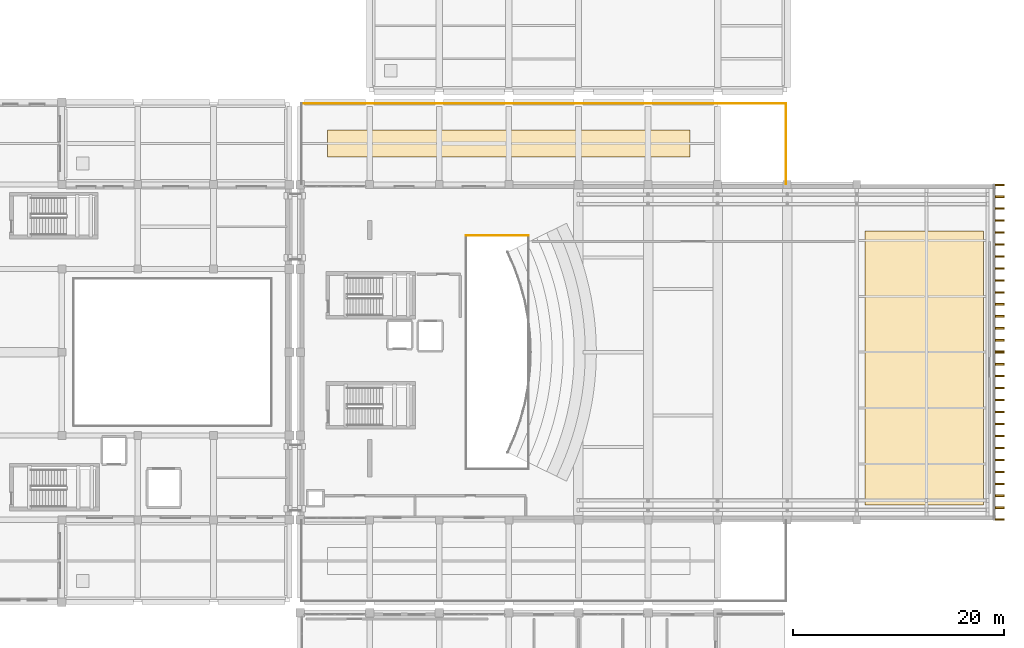
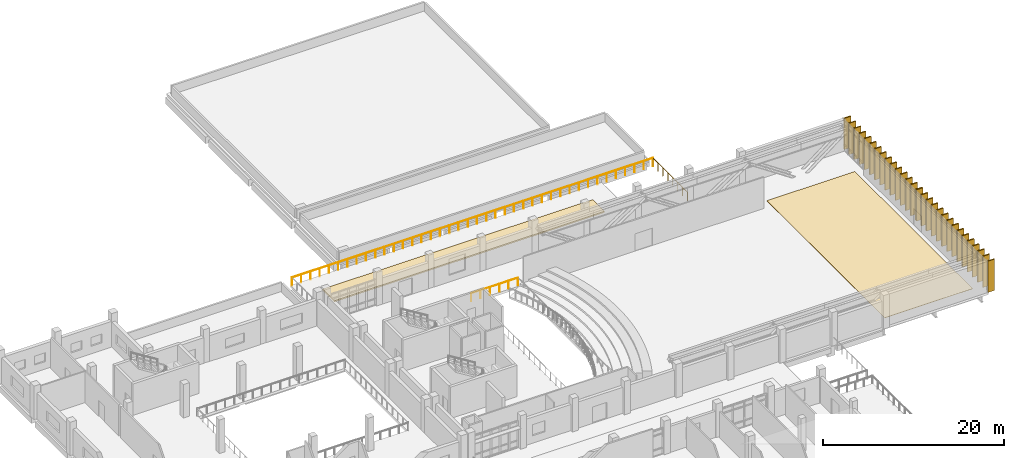
# One storey, part 54 of 54: 32 coverings, 3 railings.
"""IFC4 building model written with IfcOpenShell, lengths in metres."""

from ifc_helpers import new_model, si_unit, direction, frame, origin, origin_2d, place, context, subcontext, project, spatial, polyline, rectangle, circle, outline, extrude, material, layer, layer_set, type_object, element, save


model = new_model("IFC4")

# Units and contexts
model_context = context("Model", 3, precision=1e-05, world=origin(), true_north=direction((0.0, 1.0)))
body_context = subcontext(model_context, "Body", "Model", "MODEL_VIEW")
ifc_project = project(units=[si_unit("LENGTHUNIT", "METRE"), si_unit("AREAUNIT", "SQUARE_METRE"), si_unit("VOLUMEUNIT", "CUBIC_METRE"), si_unit("PLANEANGLEUNIT", "RADIAN"), si_unit("MASSUNIT", "GRAM", prefix="KILO")], contexts=[model_context])

# Site, building, storey
site_placement = place(None, origin())
site = spatial("IfcSite", under=ifc_project, at=site_placement, CompositionType="ELEMENT")
building_placement = place(site_placement, origin())
building = spatial("IfcBuilding", under=site, at=building_placement, Name="Kelarvand Opera House", CompositionType="ELEMENT")
storey_placement = place(building_placement, frame((0.0, 0.0, 15.0)))
storey = spatial("IfcBuildingStorey", under=building, at=storey_placement, Name="L03", CompositionType="ELEMENT", Elevation=15.0)

# Covering
ifc_material_1 = material(Name="Honed Azarshahr travertine stone flooring", Category="masonry")
ifc_layer_1 = layer(ifc_material_1, 0.0400390625, Name="Honed Azarshahr travertine stone flooring", Category="masonry")
ifc_layer_set_1 = layer_set([ifc_layer_1], Name="Honed Azarshahr travertine stone flooring")
covering_type_1 = type_object("IfcCoveringType", Name="Honed Azarshahr Travertine Foyer Flooring 40mm", PredefinedType="FLOORING", material=ifc_layer_set_1)
covering_1_placement = place(storey_placement, origin())
element("IfcCovering", 1, at=covering_1_placement, inside=storey, type_object=covering_type_1, Name="V1 L03 Architectural Flooring 10", PredefinedType="FLOORING", context=body_context, shape_type="SweptSolid", body=[
    extrude(outline(polyline([(142.60009765625, 48.0), (153.800048828125, 48.0), (153.800048828125, 74.0), (142.60009765625, 74.0), (142.60009765625, 48.0)])), origin(), (0.0, 0.0, 1.0), 0.0400390625),
])

# Railings
ifc_material_2 = material(Name="Laminated safety glass with bronze cap rail", Category="glass")
railing_type = type_object("IfcRailingType", Name="Laminated Glass and Bronze Foyer Balustrade 1120", PredefinedType="BALUSTRADE", material=ifc_material_2)
railing_1_placement = place(storey_placement, frame((89.1201171875, 86.080078125, 0.0)))
element("IfcRailing", 2, at=railing_1_placement, inside=storey, type_object=railing_type, Name="V1 L03 Balustrade 8", PredefinedType="BALUSTRADE", context=body_context, shape_type="SweptSolid", body=[
    extrude(circle(Radius=0.02392578125, at=origin_2d()), frame((0.0, 0.0, 1.09619140625), z_axis=(1.0, 0.0, 0.0), x_axis=(0.0, 1.0, 0.0)), (0.0, 0.0, 1.0), 45.9599609375),
    extrude(circle(Radius=0.02099609375, at=origin_2d()), origin(), (0.0, 0.0, 1.0), 1.072021484375),
    extrude(circle(Radius=0.02099609375, at=origin_2d()), frame((1.178466796875, 0.0, 0.0)), (0.0, 0.0, 1.0), 1.072021484375),
    extrude(circle(Radius=0.02099609375, at=origin_2d()), frame((2.35693359375, 0.0, 0.0)), (0.0, 0.0, 1.0), 1.072021484375),
    extrude(circle(Radius=0.02099609375, at=origin_2d()), frame((3.535400390625, 0.0, 0.0)), (0.0, 0.0, 1.0), 1.072021484375),
    extrude(circle(Radius=0.02099609375, at=origin_2d()), frame((4.7138671875, 0.0, 0.0)), (0.0, 0.0, 1.0), 1.072021484375),
    extrude(circle(Radius=0.02099609375, at=origin_2d()), frame((5.892333984375, 0.0, 0.0)), (0.0, 0.0, 1.0), 1.072021484375),
    extrude(circle(Radius=0.02099609375, at=origin_2d()), frame((7.07080078125, 0.0, 0.0)), (0.0, 0.0, 1.0), 1.072021484375),
    extrude(circle(Radius=0.02099609375, at=origin_2d()), frame((8.249267578125, 0.0, 0.0)), (0.0, 0.0, 1.0), 1.072021484375),
    extrude(circle(Radius=0.02099609375, at=origin_2d()), frame((9.427734375, 0.0, 0.0)), (0.0, 0.0, 1.0), 1.072021484375),
    extrude(circle(Radius=0.02099609375, at=origin_2d()), frame((10.606201171875, 0.0, 0.0)), (0.0, 0.0, 1.0), 1.072021484375),
    extrude(circle(Radius=0.02099609375, at=origin_2d()), frame((11.78466796875, 0.0, 0.0)), (0.0, 0.0, 1.0), 1.072021484375),
    extrude(circle(Radius=0.02099609375, at=origin_2d()), frame((12.963134765625, 0.0, 0.0)), (0.0, 0.0, 1.0), 1.072021484375),
    extrude(circle(Radius=0.02099609375, at=origin_2d()), frame((14.1416015625, 0.0, 0.0)), (0.0, 0.0, 1.0), 1.072021484375),
    extrude(circle(Radius=0.02099609375, at=origin_2d()), frame((15.320068359375, 0.0, 0.0)), (0.0, 0.0, 1.0), 1.072021484375),
    extrude(circle(Radius=0.02099609375, at=origin_2d()), frame((16.49853515625, 0.0, 0.0)), (0.0, 0.0, 1.0), 1.072021484375),
    extrude(circle(Radius=0.02099609375, at=origin_2d()), frame((17.677001953125, 0.0, 0.0)), (0.0, 0.0, 1.0), 1.072021484375),
    extrude(circle(Radius=0.02099609375, at=origin_2d()), frame((18.85546875, 0.0, 0.0)), (0.0, 0.0, 1.0), 1.072021484375),
    extrude(circle(Radius=0.02099609375, at=origin_2d()), frame((20.033935546875, 0.0, 0.0)), (0.0, 0.0, 1.0), 1.072021484375),
    extrude(circle(Radius=0.02099609375, at=origin_2d()), frame((21.21240234375, 0.0, 0.0)), (0.0, 0.0, 1.0), 1.072021484375),
    extrude(circle(Radius=0.02099609375, at=origin_2d()), frame((22.390869140625, 0.0, 0.0)), (0.0, 0.0, 1.0), 1.072021484375),
    extrude(circle(Radius=0.02099609375, at=origin_2d()), frame((23.569091796875, 0.0, 0.0)), (0.0, 0.0, 1.0), 1.072021484375),
    extrude(circle(Radius=0.02099609375, at=origin_2d()), frame((24.74755859375, 0.0, 0.0)), (0.0, 0.0, 1.0), 1.072021484375),
    extrude(circle(Radius=0.02099609375, at=origin_2d()), frame((25.926025390625, 0.0, 0.0)), (0.0, 0.0, 1.0), 1.072021484375),
    extrude(circle(Radius=0.02099609375, at=origin_2d()), frame((27.1044921875, 0.0, 0.0)), (0.0, 0.0, 1.0), 1.072021484375),
    extrude(circle(Radius=0.02099609375, at=origin_2d()), frame((28.282958984375, 0.0, 0.0)), (0.0, 0.0, 1.0), 1.072021484375),
    extrude(circle(Radius=0.02099609375, at=origin_2d()), frame((29.46142578125, 0.0, 0.0)), (0.0, 0.0, 1.0), 1.072021484375),
    extrude(circle(Radius=0.02099609375, at=origin_2d()), frame((30.639892578125, 0.0, 0.0)), (0.0, 0.0, 1.0), 1.072021484375),
    extrude(circle(Radius=0.02099609375, at=origin_2d()), frame((31.818359375, 0.0, 0.0)), (0.0, 0.0, 1.0), 1.072021484375),
    extrude(circle(Radius=0.02099609375, at=origin_2d()), frame((32.996826171875, 0.0, 0.0)), (0.0, 0.0, 1.0), 1.072021484375),
    extrude(circle(Radius=0.02099609375, at=origin_2d()), frame((34.17529296875, 0.0, 0.0)), (0.0, 0.0, 1.0), 1.072021484375),
    extrude(circle(Radius=0.02099609375, at=origin_2d()), frame((35.353759765625, 0.0, 0.0)), (0.0, 0.0, 1.0), 1.072021484375),
    extrude(circle(Radius=0.02099609375, at=origin_2d()), frame((36.5322265625, 0.0, 0.0)), (0.0, 0.0, 1.0), 1.072021484375),
    extrude(circle(Radius=0.02099609375, at=origin_2d()), frame((37.710693359375, 0.0, 0.0)), (0.0, 0.0, 1.0), 1.072021484375),
    extrude(circle(Radius=0.02099609375, at=origin_2d()), frame((38.88916015625, 0.0, 0.0)), (0.0, 0.0, 1.0), 1.072021484375),
    extrude(circle(Radius=0.02099609375, at=origin_2d()), frame((40.067626953125, 0.0, 0.0)), (0.0, 0.0, 1.0), 1.072021484375),
    extrude(circle(Radius=0.02099609375, at=origin_2d()), frame((41.24609375, 0.0, 0.0)), (0.0, 0.0, 1.0), 1.072021484375),
    extrude(circle(Radius=0.02099609375, at=origin_2d()), frame((42.424560546875, 0.0, 0.0)), (0.0, 0.0, 1.0), 1.072021484375),
    extrude(circle(Radius=0.02099609375, at=origin_2d()), frame((43.60302734375, 0.0, 0.0)), (0.0, 0.0, 1.0), 1.072021484375),
    extrude(circle(Radius=0.02099609375, at=origin_2d()), frame((44.781494140625, 0.0, 0.0)), (0.0, 0.0, 1.0), 1.072021484375),
    extrude(circle(Radius=0.02099609375, at=origin_2d()), frame((45.9599609375, 0.0, 0.0)), (0.0, 0.0, 1.0), 1.072021484375),
])
railing_2_placement = place(storey_placement, frame((135.080078125, 86.080078125, 0.0)))
element("IfcRailing", 3, at=railing_2_placement, inside=storey, type_object=railing_type, Name="V1 L03 Balustrade 9", PredefinedType="BALUSTRADE", context=body_context, shape_type="SweptSolid", body=[
    extrude(circle(Radius=0.02392578125, at=origin_2d()), frame((0.0, 0.0, 1.09619140625), z_axis=(0.0, -1.0, 0.0), x_axis=(1.0, 0.0, 0.0)), (0.0, 0.0, 1.0), 7.630126953125),
    extrude(circle(Radius=0.02099609375, at=origin_2d()), origin(), (0.0, 0.0, 1.0), 1.072021484375),
    extrude(circle(Radius=0.02099609375, at=origin_2d()), frame((0.0, -1.090087890625, 0.0)), (0.0, 0.0, 1.0), 1.072021484375),
    extrude(circle(Radius=0.02099609375, at=origin_2d()), frame((0.0, -2.179931640625, 0.0)), (0.0, 0.0, 1.0), 1.072021484375),
    extrude(circle(Radius=0.02099609375, at=origin_2d()), frame((0.0, -3.27001953125, 0.0)), (0.0, 0.0, 1.0), 1.072021484375),
    extrude(circle(Radius=0.02099609375, at=origin_2d()), frame((0.0, -4.360107421875, 0.0)), (0.0, 0.0, 1.0), 1.072021484375),
    extrude(circle(Radius=0.02099609375, at=origin_2d()), frame((0.0, -5.4501953125, 0.0)), (0.0, 0.0, 1.0), 1.072021484375),
    extrude(circle(Radius=0.02099609375, at=origin_2d()), frame((0.0, -6.5400390625, 0.0)), (0.0, 0.0, 1.0), 1.072021484375),
    extrude(circle(Radius=0.02099609375, at=origin_2d()), frame((0.0, -7.630126953125, 0.0)), (0.0, 0.0, 1.0), 1.072021484375),
])
railing_3_placement = place(storey_placement, frame((104.719970703125, 73.580078125, 0.0)))
element("IfcRailing", 4, at=railing_3_placement, inside=storey, type_object=railing_type, Name="V1 L03 Balustrade 84", PredefinedType="BALUSTRADE", context=body_context, shape_type="SweptSolid", body=[
    extrude(circle(Radius=0.02392578125, at=origin_2d()), frame((0.0, 0.0, 1.09619140625), z_axis=(1.0, 0.0, 0.0), x_axis=(0.0, 1.0, 0.0)), (0.0, 0.0, 1.0), 5.9599609375),
    extrude(circle(Radius=0.02099609375, at=origin_2d()), origin(), (0.0, 0.0, 1.0), 1.072021484375),
    extrude(circle(Radius=0.02099609375, at=origin_2d()), frame((1.19189453125, 0.0, 0.0)), (0.0, 0.0, 1.0), 1.072021484375),
    extrude(circle(Radius=0.02099609375, at=origin_2d()), frame((2.384033203125, 0.0, 0.0)), (0.0, 0.0, 1.0), 1.072021484375),
    extrude(circle(Radius=0.02099609375, at=origin_2d()), frame((3.575927734375, 0.0, 0.0)), (0.0, 0.0, 1.0), 1.072021484375),
    extrude(circle(Radius=0.02099609375, at=origin_2d()), frame((4.76806640625, 0.0, 0.0)), (0.0, 0.0, 1.0), 1.072021484375),
    extrude(circle(Radius=0.02099609375, at=origin_2d()), frame((5.9599609375, 0.0, 0.0)), (0.0, 0.0, 1.0), 1.072021484375),
])

# Coverings
ifc_material_3 = material(Name="Extensive drought-tolerant roof-garden substrate")
ifc_layer_2 = layer(ifc_material_3, 0.179931640625, Name="Extensive drought-tolerant roof-garden substrate")
ifc_layer_set_2 = layer_set([ifc_layer_2], Name="Extensive drought-tolerant roof-garden substrate")
covering_type_2 = type_object("IfcCoveringType", Name="Planted Chaharbagh Roof-Garden Substrate Covering 180mm", PredefinedType="ROOFING", material=ifc_layer_set_2)
covering_2_placement = place(storey_placement, origin())
element("IfcCovering", 5, at=covering_2_placement, inside=storey, type_object=covering_type_2, Name="V1 L03 Planted Roof Garden Bed 2", PredefinedType="ROOFING", context=body_context, shape_type="SweptSolid", body=[
    extrude(outline(polyline([(91.60009765625, 81.0), (126.0, 81.0), (126.0, 83.60009765625), (91.60009765625, 83.60009765625), (91.60009765625, 81.0)])), origin(), (0.0, 0.0, 1.0), 0.179931640625),
])
ifc_material_4 = material(Name="Azarshahr buff travertine stone panels", Category="masonry")
ifc_layer_3 = layer(ifc_material_4, 0.159912109375, Name="Azarshahr buff travertine stone panels", Category="masonry")
ifc_layer_set_3 = layer_set([ifc_layer_3], Name="Azarshahr buff travertine stone panels")
covering_type_3 = type_object("IfcCoveringType", Name="Vertical Travertine-Bronze Architectural Fin 850x160", PredefinedType="CLADDING", material=ifc_layer_set_3)
for number, where, z_axis, x_axis, name in (
    (6, (155.340087890625, 78.3525390625, 0.0), (0.0, 0.0, 1.0), (1.0, 0.0, 0.0), "V1 East Facade Vertical Fin 95"),
    (7, (155.340087890625, 77.25537109375, 0.0), (0.0, 0.0, 1.0), (1.0, 0.0, 0.0), "V1 East Facade Vertical Fin 96"),
    (8, (155.340087890625, 76.12060546875, 0.0), (0.0, 0.0, 1.0), (1.0, 0.0, 0.0), "V1 East Facade Vertical Fin 97"),
    (9, (155.340087890625, 74.98583984375, 0.0), (0.0, 0.0, 1.0), (1.0, 0.0, 0.0), "V1 East Facade Vertical Fin 98"),
    (10, (155.340087890625, 73.85107421875, 0.0), (0.0, 0.0, 1.0), (1.0, 0.0, 0.0), "V1 East Facade Vertical Fin 99"),
    (11, (155.340087890625, 72.71630859375, 0.0), (0.0, 0.0, 1.0), (1.0, 0.0, 0.0), "V1 East Facade Vertical Fin 100"),
    (12, (155.340087890625, 71.581787109375, 0.0), (0.0, 0.0, 1.0), (1.0, 0.0, 0.0), "V1 East Facade Vertical Fin 101"),
    (13, (155.340087890625, 70.447021484375, 0.0), (0.0, 0.0, 1.0), (1.0, 0.0, 0.0), "V1 East Facade Vertical Fin 102"),
    (14, (155.340087890625, 69.312255859375, 0.0), (0.0, 0.0, 1.0), (1.0, 0.0, 0.0), "V1 East Facade Vertical Fin 103"),
    (15, (155.340087890625, 68.177490234375, 0.0), (0.0, 0.0, 1.0), (1.0, 0.0, 0.0), "V1 East Facade Vertical Fin 104"),
    (16, (155.340087890625, 67.04296875, 0.0), (0.0, 0.0, 1.0), (1.0, 0.0, 0.0), "V1 East Facade Vertical Fin 105"),
    (17, (155.340087890625, 65.908203125, 0.0), (0.0, 0.0, 1.0), (1.0, 0.0, 0.0), "V1 East Facade Vertical Fin 106"),
    (18, (155.340087890625, 64.7734375, 0.0), (0.0, 0.0, 1.0), (1.0, 0.0, 0.0), "V1 East Facade Vertical Fin 107"),
    (19, (155.340087890625, 63.638671875, 0.0), (0.0, 0.0, 1.0), (1.0, 0.0, 0.0), "V1 East Facade Vertical Fin 108"),
    (20, (155.340087890625, 62.54150390625, 0.0), (0.0, 0.0, 1.0), (1.0, 0.0, 0.0), "V1 East Facade Vertical Fin 109"),
    (21, (155.340087890625, 62.46240234375, 0.0), (0.0, 0.0, 1.0), (1.0, 0.0, 0.0), "V1 East Facade Vertical Fin 110"),
    (22, (155.340087890625, 61.364990234375, 0.0), (0.0, 0.0, 1.0), (1.0, 0.0, 0.0), "V1 East Facade Vertical Fin 111"),
    (23, (155.340087890625, 60.22998046875, 0.0), (0.0, 0.0, 1.0), (1.0, 0.0, 0.0), "V1 East Facade Vertical Fin 112"),
    (24, (155.340087890625, 59.094970703125, 0.0), (0.0, 0.0, 1.0), (1.0, 0.0, 0.0), "V1 East Facade Vertical Fin 113"),
    (25, (155.340087890625, 57.9599609375, 0.0), (0.0, 0.0, 1.0), (1.0, 0.0, 0.0), "V1 East Facade Vertical Fin 114"),
    (26, (155.340087890625, 56.824951171875, 0.0), (0.0, 0.0, 1.0), (1.0, 0.0, 0.0), "V1 East Facade Vertical Fin 115"),
    (27, (155.340087890625, 55.68994140625, 0.0), (0.0, 0.0, 1.0), (1.0, 0.0, 0.0), "V1 East Facade Vertical Fin 116"),
    (28, (155.340087890625, 54.554931640625, 0.0), (0.0, 0.0, 1.0), (1.0, 0.0, 0.0), "V1 East Facade Vertical Fin 117"),
    (29, (155.340087890625, 53.419921875, 0.0), (0.0, 0.0, 1.0), (1.0, 0.0, 0.0), "V1 East Facade Vertical Fin 118"),
    (30, (155.340087890625, 52.284912109375, 0.0), (0.0, 0.0, 1.0), (1.0, 0.0, 0.0), "V1 East Facade Vertical Fin 119"),
    (31, (155.340087890625, 51.14990234375, 0.0), (0.0, 0.0, 1.0), (1.0, 0.0, 0.0), "V1 East Facade Vertical Fin 120"),
    (32, (155.340087890625, 50.014892578125, 0.0), (0.0, 0.0, 1.0), (1.0, 0.0, 0.0), "V1 East Facade Vertical Fin 121"),
    (33, (155.340087890625, 48.8798828125, 0.0), (0.0, 0.0, 1.0), (1.0, 0.0, 0.0), "V1 East Facade Vertical Fin 122"),
    (34, (155.340087890625, 47.7451171875, 0.0), (0.0, 0.0, 1.0), (1.0, 0.0, 0.0), "V1 East Facade Vertical Fin 123"),
    (35, (155.340087890625, 46.6474609375, 0.0), (0.0, 0.0, 1.0), (1.0, 0.0, 0.0), "V1 East Facade Vertical Fin 124"),
):
    element("IfcCovering", number, at=place(storey_placement, frame(where, z_axis=z_axis, x_axis=x_axis)), inside=storey, type_object=covering_type_3, Name=name, PredefinedType="CLADDING", context=body_context, shape_type="SweptSolid", body=[
        extrude(rectangle(XDim=0.85009765625, YDim=0.159912109375, at=origin_2d()), origin(), (0.0, 0.0, 1.0), 4.199951171875),
    ])

save(model, "model.ifc")
